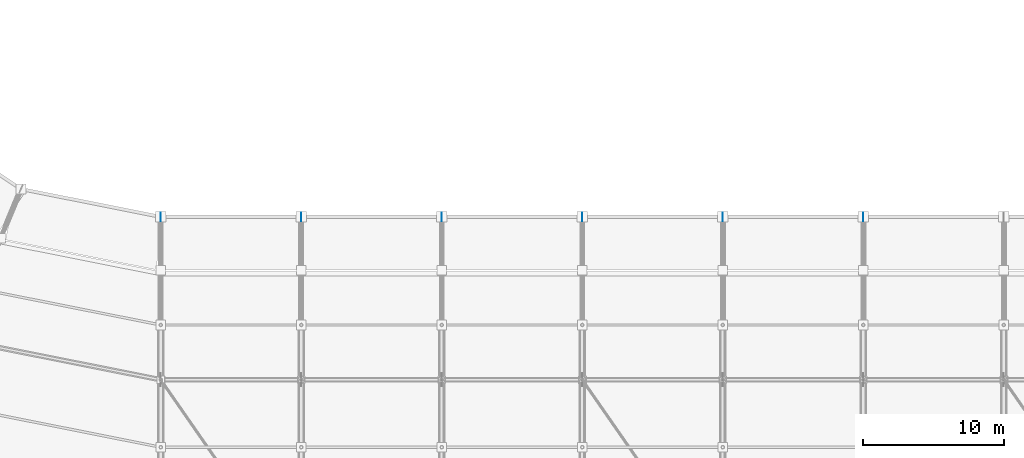
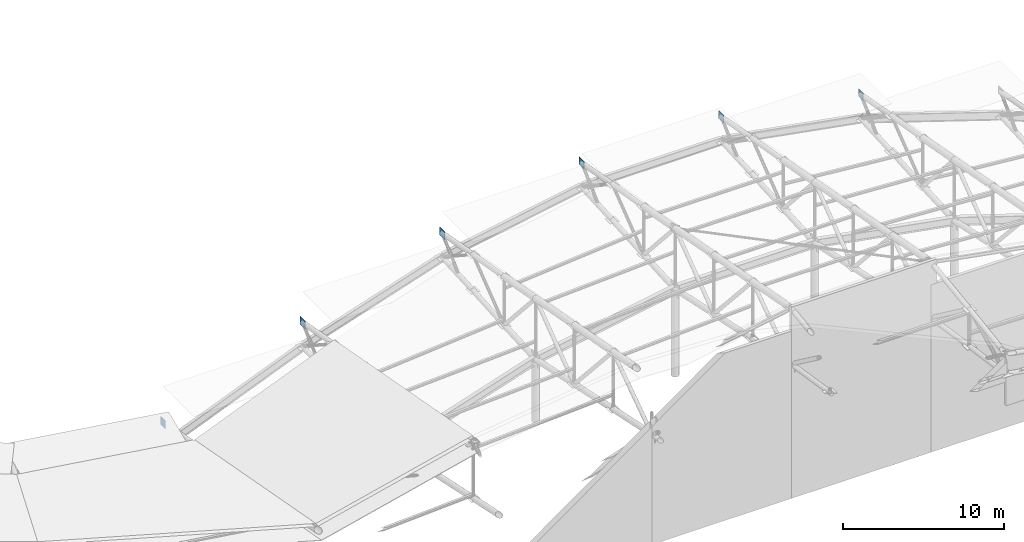
# One storey, part 129 of 146: 6 plates.
"""IFC4 building model written with IfcOpenShell, lengths in metres."""

from ifc_helpers import new_model, si_unit, direction, frame, origin, origin_2d, place, context, subcontext, project, spatial, rectangle, extrude, material, layer, layer_set, type_object, element, save


model = new_model("IFC4")

# Units and contexts
model_context = context("Model", 3, precision=1e-05, world=origin(), true_north=direction((0.0, 1.0)))
body_context = subcontext(model_context, "Body", "Model", "MODEL_VIEW")
ifc_project = project(units=[si_unit("LENGTHUNIT", "METRE"), si_unit("AREAUNIT", "SQUARE_METRE"), si_unit("VOLUMEUNIT", "CUBIC_METRE"), si_unit("PLANEANGLEUNIT", "RADIAN"), si_unit("MASSUNIT", "GRAM", prefix="KILO")], contexts=[model_context])

# Site, building, storey
site_placement = place(None, origin())
site = spatial("IfcSite", under=ifc_project, at=site_placement, CompositionType="ELEMENT")
building_placement = place(site_placement, origin())
building = spatial("IfcBuilding", under=site, at=building_placement, Name="Candeia Ridge Stadium", CompositionType="ELEMENT")
storey_placement = place(building_placement, frame((0.0, 0.0, 31.800048828125)))
storey = spatial("IfcBuildingStorey", under=building, at=storey_placement, Name="RF", CompositionType="ELEMENT", Elevation=31.800048828125)

# Plates
ifc_material = material(Name="Steel ASTM A572 Grade 50", Category="steel")
ifc_layer = layer(ifc_material, 0.02392578125, Name="Steel ASTM A572 Grade 50", Category="steel")
ifc_layer_set = layer_set([ifc_layer], Name="Steel ASTM A572 Grade 50")
plate_type = type_object("IfcPlateType", Name="Roof Truss Chord-Web Node Gusset ND-3", PredefinedType="USERDEFINED", material=ifc_layer_set)
for number, where, z_axis, x_axis, name in (
    (1, (71.0, 45.0, -0.460205078125), (0.0, 0.0, 1.0), (0.0, -1.0, 0.0), "Roof truss tip gusset node ND-3 bay 19"),
    (2, (81.0, 45.0, 3.618408203125), (0.0, 0.0, 1.0), (0.0, -1.0, 0.0), "Roof truss tip gusset node ND-3 bay 20"),
    (3, (91.0, 45.0, 6.88916015625), (0.0, 0.0, 1.0), (0.0, -1.0, 0.0), "Roof truss tip gusset node ND-3 bay 21"),
    (4, (101.0, 45.0, 8.7041015625), (0.0, 0.0, 1.0), (0.0, -1.0, 0.0), "Roof truss tip gusset node ND-3 bay 22"),
    (5, (111.0, 45.0, 8.7041015625), (0.0, 0.0, 1.0), (0.0, -1.0, 0.0), "Roof truss tip gusset node ND-3 bay 23"),
    (6, (121.0, 45.0, 6.88916015625), (0.0, 0.0, 1.0), (0.0, -1.0, 0.0), "Roof truss tip gusset node ND-3 bay 24"),
):
    element("IfcPlate", number, at=place(storey_placement, frame(where, z_axis=z_axis, x_axis=x_axis)), inside=storey, type_object=plate_type, Name=name, ObjectType="GUSSET PLATE", PredefinedType="USERDEFINED", context=body_context, shape_type="SweptSolid", body=[
        extrude(rectangle(XDim=0.60009765625, YDim=0.02392578125, at=origin_2d()), origin(), (0.0, 0.0, 1.0), 0.60009765625),
    ])

save(model, "model.ifc")
